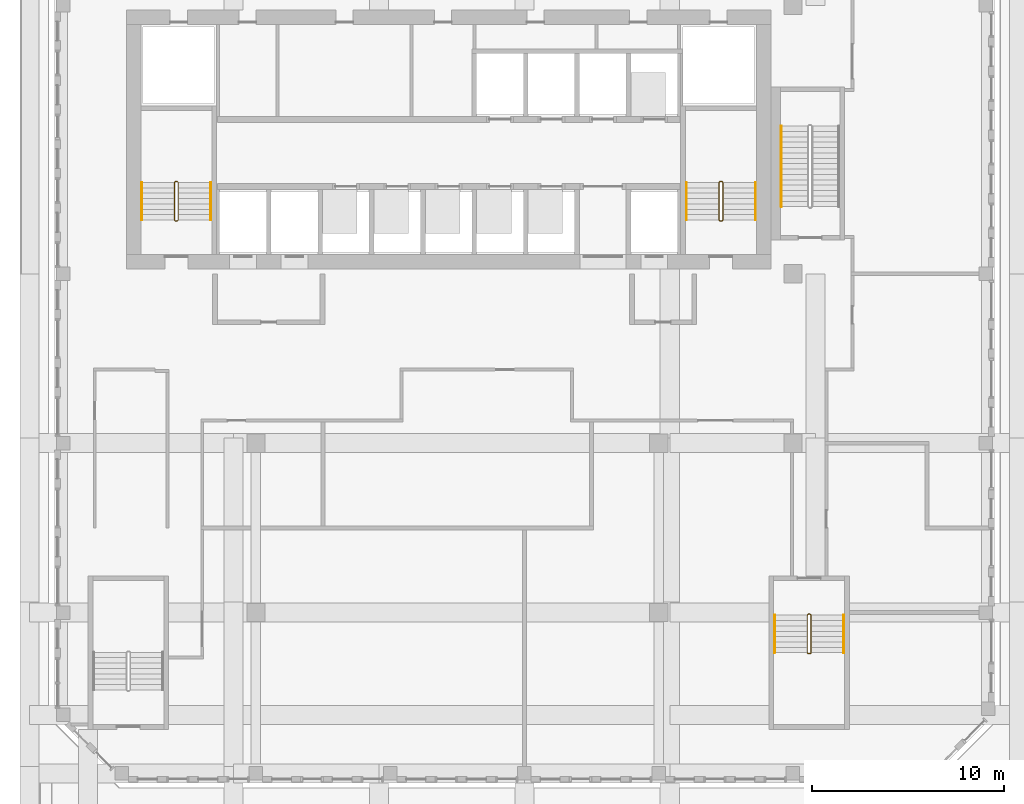
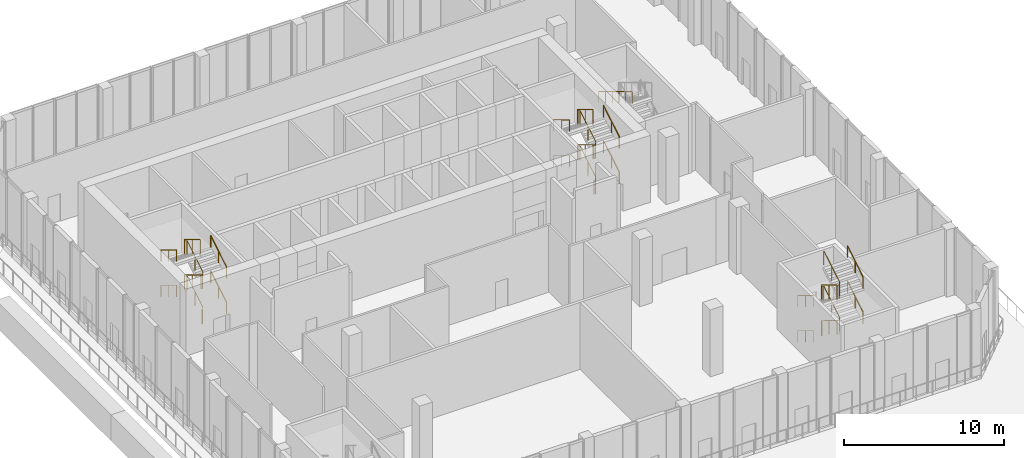
# One storey, part 16 of 18: 16 railings.
"""IFC4 building model written with IfcOpenShell, lengths in metres."""

from ifc_helpers import new_model, si_unit, direction, frame, origin, origin_2d, place, context, subcontext, project, spatial, circle, extrude, material, type_object, element, save


model = new_model("IFC4")

# Units and contexts
model_context = context("Model", 3, precision=1e-05, world=origin(), true_north=direction((0.0, 1.0)))
body_context = subcontext(model_context, "Body", "Model", "MODEL_VIEW")
ifc_project = project(units=[si_unit("LENGTHUNIT", "METRE"), si_unit("AREAUNIT", "SQUARE_METRE"), si_unit("VOLUMEUNIT", "CUBIC_METRE"), si_unit("PLANEANGLEUNIT", "RADIAN"), si_unit("MASSUNIT", "GRAM", prefix="KILO")], contexts=[model_context])

# Site, building, storey
site_placement = place(None, origin())
site = spatial("IfcSite", under=ifc_project, at=site_placement, CompositionType="ELEMENT")
building_placement = place(site_placement, origin())
building = spatial("IfcBuilding", under=site, at=building_placement, Name="Kilnfold Tower and Market Hall", CompositionType="ELEMENT")
storey_placement = place(building_placement, frame((0.0, 0.0, 233.60009765625)))
storey = spatial("IfcBuildingStorey", under=building, at=storey_placement, Name="L56", CompositionType="ELEMENT", Elevation=233.60009765625)

# Railings
ifc_material_1 = material(Name="Stainless steel 316", Category="steel")
railing_type_1 = type_object("IfcRailingType", Name="CORE STAIR GUARD 1100", PredefinedType="GUARDRAIL", material=ifc_material_1)
railing_1_placement = place(storey_placement, frame((-13.199951171875, 10.75, 0.0)))
element("IfcRailing", 1, at=railing_1_placement, inside=storey, type_object=railing_type_1, Name="L56 ST1 stair guard 1", PredefinedType="GUARDRAIL", context=body_context, shape_type="SweptSolid", body=[
    extrude(circle(Radius=0.02392578125, at=origin_2d()), frame((0.0, 0.0, 1.076171875), z_axis=(1.0, 0.0, 0.0), x_axis=(0.0, 1.0, 0.0)), (0.0, 0.0, 1.0), 0.099853515625),
    extrude(circle(Radius=0.02392578125, at=origin_2d()), frame((0.099853515625, 0.0, 1.076171875), z_axis=(0.273569069059, 0.273569069059, 0.922127935218), x_axis=(-0.707106781187, 0.707106781187, 0.0)), (0.0, 0.0, 1.0), 0.182861328125),
    extrude(circle(Radius=0.02392578125, at=origin_2d()), frame((0.14990234375, 0.050048828125, 1.24462890625), z_axis=(0.0, 0.856493463811, 0.516157869696), x_axis=(-1.0, 0.0, 0.0)), (0.0, 0.0, 1.0), 2.288330078125),
    extrude(circle(Radius=0.02392578125, at=origin_2d()), frame((0.14990234375, 2.010009765625, 2.42578125), z_axis=(-0.707106781187, 0.707106781187, 0.0), x_axis=(-0.707106781187, -0.707106781187, 0.0)), (0.0, 0.0, 1.0), 0.07080078125),
    extrude(circle(Radius=0.02392578125, at=origin_2d()), frame((0.099853515625, 2.06005859375, 2.42578125), z_axis=(-1.0, 0.0, 0.0), x_axis=(0.0, -1.0, 0.0)), (0.0, 0.0, 1.0), 0.099853515625),
    extrude(circle(Radius=0.02392578125, at=origin_2d()), frame((0.0, 2.06005859375, 2.42578125), z_axis=(-0.273232802156, -0.273232802156, 0.922327312645), x_axis=(0.707106781187, -0.707106781187, 0.0)), (0.0, 0.0, 1.0), 0.18310546875),
    extrude(circle(Radius=0.02392578125, at=origin_2d()), frame((-0.050048828125, 2.010009765625, 2.5947265625), z_axis=(0.0, -0.856493463811, 0.516157869696), x_axis=(1.0, 0.0, 0.0)), (0.0, 0.0, 1.0), 2.288330078125),
    extrude(circle(Radius=0.02392578125, at=origin_2d()), frame((-0.050048828125, 0.050048828125, 3.77587890625), z_axis=(0.707106781187, -0.707106781187, 0.0), x_axis=(0.707106781187, 0.707106781187, 0.0)), (0.0, 0.0, 1.0), 0.07080078125),
    extrude(circle(Radius=0.02392578125, at=origin_2d()), frame((0.0, 0.0, 3.77587890625), z_axis=(1.0, 0.0, 0.0), x_axis=(0.0, 1.0, 0.0)), (0.0, 0.0, 1.0), 0.099853515625),
    extrude(circle(Radius=0.02392578125, at=origin_2d()), frame((0.099853515625, 0.0, 3.77587890625), z_axis=(0.273569069059, 0.273569069059, 0.922127935218), x_axis=(-0.707106781187, 0.707106781187, 0.0)), (0.0, 0.0, 1.0), 0.182861328125),
    extrude(circle(Radius=0.02392578125, at=origin_2d()), frame((0.14990234375, 0.050048828125, 3.94482421875), z_axis=(0.0, 0.856493463811, 0.516157869696), x_axis=(-1.0, 0.0, 0.0)), (0.0, 0.0, 1.0), 2.288330078125),
    extrude(circle(Radius=0.02392578125, at=origin_2d()), frame((0.14990234375, 2.010009765625, 5.1259765625), z_axis=(-0.707106781187, 0.707106781187, 0.0), x_axis=(-0.707106781187, -0.707106781187, 0.0)), (0.0, 0.0, 1.0), 0.07080078125),
    extrude(circle(Radius=0.02392578125, at=origin_2d()), frame((0.099853515625, 2.06005859375, 5.1259765625), z_axis=(-1.0, 0.0, 0.0), x_axis=(0.0, -1.0, 0.0)), (0.0, 0.0, 1.0), 0.099853515625),
    extrude(circle(Radius=0.02392578125, at=origin_2d()), frame((0.0, 2.06005859375, 5.1259765625), z_axis=(-0.273569069059, -0.273569069059, 0.922127935218), x_axis=(0.707106781187, -0.707106781187, 0.0)), (0.0, 0.0, 1.0), 0.182861328125),
    extrude(circle(Radius=0.02392578125, at=origin_2d()), frame((-0.050048828125, 2.010009765625, 5.29443359375), z_axis=(0.0, -0.856446297458, 0.516236127728), x_axis=(1.0, 0.0, 0.0)), (0.0, 0.0, 1.0), 2.28857421875),
    extrude(circle(Radius=0.02099609375, at=origin_2d()), origin(), (0.0, 0.0, 1.0), 1.052001953125),
    extrude(circle(Radius=0.02099609375, at=origin_2d()), frame((0.099853515625, 0.0, 0.0)), (0.0, 0.0, 1.0), 1.052001953125),
    extrude(circle(Radius=0.02099609375, at=origin_2d()), frame((0.14990234375, 0.050048828125, 0.168701171875)), (0.0, 0.0, 1.0), 1.052001953125),
    extrude(circle(Radius=0.02099609375, at=origin_2d()), frame((0.14990234375, 1.030029296875, 0.75927734375)), (0.0, 0.0, 1.0), 1.052001953125),
    extrude(circle(Radius=0.02099609375, at=origin_2d()), frame((0.14990234375, 2.010009765625, 1.349853515625)), (0.0, 0.0, 1.0), 1.052001953125),
    extrude(circle(Radius=0.02099609375, at=origin_2d()), frame((0.099853515625, 2.06005859375, 1.349853515625)), (0.0, 0.0, 1.0), 1.052001953125),
    extrude(circle(Radius=0.02099609375, at=origin_2d()), frame((0.0, 2.06005859375, 1.349853515625)), (0.0, 0.0, 1.0), 1.052001953125),
    extrude(circle(Radius=0.02099609375, at=origin_2d()), frame((-0.050048828125, 2.010009765625, 1.518798828125)), (0.0, 0.0, 1.0), 1.052001953125),
    extrude(circle(Radius=0.02099609375, at=origin_2d()), frame((-0.050048828125, 1.030029296875, 2.109375)), (0.0, 0.0, 1.0), 1.052001953125),
    extrude(circle(Radius=0.02099609375, at=origin_2d()), frame((-0.050048828125, 0.050048828125, 2.699951171875)), (0.0, 0.0, 1.0), 1.052001953125),
    extrude(circle(Radius=0.02099609375, at=origin_2d()), frame((0.0, 0.0, 2.699951171875)), (0.0, 0.0, 1.0), 1.052001953125),
    extrude(circle(Radius=0.02099609375, at=origin_2d()), frame((0.099853515625, 0.0, 2.699951171875)), (0.0, 0.0, 1.0), 1.052001953125),
    extrude(circle(Radius=0.02099609375, at=origin_2d()), frame((0.14990234375, 0.050048828125, 2.86865234375)), (0.0, 0.0, 1.0), 1.052001953125),
    extrude(circle(Radius=0.02099609375, at=origin_2d()), frame((0.14990234375, 1.030029296875, 3.459228515625)), (0.0, 0.0, 1.0), 1.052001953125),
    extrude(circle(Radius=0.02099609375, at=origin_2d()), frame((0.14990234375, 2.010009765625, 4.0498046875)), (0.0, 0.0, 1.0), 1.052001953125),
    extrude(circle(Radius=0.02099609375, at=origin_2d()), frame((0.099853515625, 2.06005859375, 4.0498046875)), (0.0, 0.0, 1.0), 1.052001953125),
    extrude(circle(Radius=0.02099609375, at=origin_2d()), frame((0.0, 2.06005859375, 4.0498046875)), (0.0, 0.0, 1.0), 1.052001953125),
    extrude(circle(Radius=0.02099609375, at=origin_2d()), frame((-0.050048828125, 2.010009765625, 4.218505859375)), (0.0, 0.0, 1.0), 1.052001953125),
    extrude(circle(Radius=0.02099609375, at=origin_2d()), frame((-0.050048828125, 1.030029296875, 4.80908203125)), (0.0, 0.0, 1.0), 1.052001953125),
    extrude(circle(Radius=0.02099609375, at=origin_2d()), frame((-0.050048828125, 0.050048828125, 5.39990234375)), (0.0, 0.0, 1.0), 1.052001953125),
])
railing_2_placement = place(storey_placement, frame((15.199951171875, 10.75, 0.0)))
element("IfcRailing", 2, at=railing_2_placement, inside=storey, type_object=railing_type_1, Name="L56 ST2 stair guard 1", PredefinedType="GUARDRAIL", context=body_context, shape_type="SweptSolid", body=[
    extrude(circle(Radius=0.02392578125, at=origin_2d()), frame((0.0, 0.0, 1.076171875), z_axis=(1.0, 0.0, 0.0), x_axis=(0.0, 1.0, 0.0)), (0.0, 0.0, 1.0), 0.10009765625),
    extrude(circle(Radius=0.02392578125, at=origin_2d()), frame((0.10009765625, 0.0, 1.076171875), z_axis=(0.273569069059, 0.273569069059, 0.922127935218), x_axis=(-0.707106781187, 0.707106781187, 0.0)), (0.0, 0.0, 1.0), 0.182861328125),
    extrude(circle(Radius=0.02392578125, at=origin_2d()), frame((0.150146484375, 0.050048828125, 1.24462890625), z_axis=(0.0, 0.856493463811, 0.516157869696), x_axis=(-1.0, 0.0, 0.0)), (0.0, 0.0, 1.0), 2.288330078125),
    extrude(circle(Radius=0.02392578125, at=origin_2d()), frame((0.150146484375, 2.010009765625, 2.42578125), z_axis=(-0.707106781187, 0.707106781187, 0.0), x_axis=(-0.707106781187, -0.707106781187, 0.0)), (0.0, 0.0, 1.0), 0.07080078125),
    extrude(circle(Radius=0.02392578125, at=origin_2d()), frame((0.10009765625, 2.06005859375, 2.42578125), z_axis=(-1.0, 0.0, 0.0), x_axis=(0.0, -1.0, 0.0)), (0.0, 0.0, 1.0), 0.10009765625),
    extrude(circle(Radius=0.02392578125, at=origin_2d()), frame((0.0, 2.06005859375, 2.42578125), z_axis=(-0.273232802156, -0.273232802156, 0.922327312645), x_axis=(0.707106781187, -0.707106781187, 0.0)), (0.0, 0.0, 1.0), 0.18310546875),
    extrude(circle(Radius=0.02392578125, at=origin_2d()), frame((-0.050048828125, 2.010009765625, 2.5947265625), z_axis=(0.0, -0.856493463811, 0.516157869696), x_axis=(1.0, 0.0, 0.0)), (0.0, 0.0, 1.0), 2.288330078125),
    extrude(circle(Radius=0.02392578125, at=origin_2d()), frame((-0.050048828125, 0.050048828125, 3.77587890625), z_axis=(0.707106781187, -0.707106781187, 0.0), x_axis=(0.707106781187, 0.707106781187, 0.0)), (0.0, 0.0, 1.0), 0.07080078125),
    extrude(circle(Radius=0.02392578125, at=origin_2d()), frame((0.0, 0.0, 3.77587890625), z_axis=(1.0, 0.0, 0.0), x_axis=(0.0, 1.0, 0.0)), (0.0, 0.0, 1.0), 0.10009765625),
    extrude(circle(Radius=0.02392578125, at=origin_2d()), frame((0.10009765625, 0.0, 3.77587890625), z_axis=(0.273569069059, 0.273569069059, 0.922127935218), x_axis=(-0.707106781187, 0.707106781187, 0.0)), (0.0, 0.0, 1.0), 0.182861328125),
    extrude(circle(Radius=0.02392578125, at=origin_2d()), frame((0.150146484375, 0.050048828125, 3.94482421875), z_axis=(0.0, 0.856493463811, 0.516157869696), x_axis=(-1.0, 0.0, 0.0)), (0.0, 0.0, 1.0), 2.288330078125),
    extrude(circle(Radius=0.02392578125, at=origin_2d()), frame((0.150146484375, 2.010009765625, 5.1259765625), z_axis=(-0.707106781187, 0.707106781187, 0.0), x_axis=(-0.707106781187, -0.707106781187, 0.0)), (0.0, 0.0, 1.0), 0.07080078125),
    extrude(circle(Radius=0.02392578125, at=origin_2d()), frame((0.10009765625, 2.06005859375, 5.1259765625), z_axis=(-1.0, 0.0, 0.0), x_axis=(0.0, -1.0, 0.0)), (0.0, 0.0, 1.0), 0.10009765625),
    extrude(circle(Radius=0.02392578125, at=origin_2d()), frame((0.0, 2.06005859375, 5.1259765625), z_axis=(-0.273569069059, -0.273569069059, 0.922127935218), x_axis=(0.707106781187, -0.707106781187, 0.0)), (0.0, 0.0, 1.0), 0.182861328125),
    extrude(circle(Radius=0.02392578125, at=origin_2d()), frame((-0.050048828125, 2.010009765625, 5.29443359375), z_axis=(0.0, -0.856446297458, 0.516236127728), x_axis=(1.0, 0.0, 0.0)), (0.0, 0.0, 1.0), 2.28857421875),
    extrude(circle(Radius=0.02099609375, at=origin_2d()), origin(), (0.0, 0.0, 1.0), 1.052001953125),
    extrude(circle(Radius=0.02099609375, at=origin_2d()), frame((0.10009765625, 0.0, 0.0)), (0.0, 0.0, 1.0), 1.052001953125),
    extrude(circle(Radius=0.02099609375, at=origin_2d()), frame((0.150146484375, 0.050048828125, 0.168701171875)), (0.0, 0.0, 1.0), 1.052001953125),
    extrude(circle(Radius=0.02099609375, at=origin_2d()), frame((0.150146484375, 1.030029296875, 0.75927734375)), (0.0, 0.0, 1.0), 1.052001953125),
    extrude(circle(Radius=0.02099609375, at=origin_2d()), frame((0.150146484375, 2.010009765625, 1.349853515625)), (0.0, 0.0, 1.0), 1.052001953125),
    extrude(circle(Radius=0.02099609375, at=origin_2d()), frame((0.10009765625, 2.06005859375, 1.349853515625)), (0.0, 0.0, 1.0), 1.052001953125),
    extrude(circle(Radius=0.02099609375, at=origin_2d()), frame((0.0, 2.06005859375, 1.349853515625)), (0.0, 0.0, 1.0), 1.052001953125),
    extrude(circle(Radius=0.02099609375, at=origin_2d()), frame((-0.050048828125, 2.010009765625, 1.518798828125)), (0.0, 0.0, 1.0), 1.052001953125),
    extrude(circle(Radius=0.02099609375, at=origin_2d()), frame((-0.050048828125, 1.030029296875, 2.109375)), (0.0, 0.0, 1.0), 1.052001953125),
    extrude(circle(Radius=0.02099609375, at=origin_2d()), frame((-0.050048828125, 0.050048828125, 2.699951171875)), (0.0, 0.0, 1.0), 1.052001953125),
    extrude(circle(Radius=0.02099609375, at=origin_2d()), frame((0.0, 0.0, 2.699951171875)), (0.0, 0.0, 1.0), 1.052001953125),
    extrude(circle(Radius=0.02099609375, at=origin_2d()), frame((0.10009765625, 0.0, 2.699951171875)), (0.0, 0.0, 1.0), 1.052001953125),
    extrude(circle(Radius=0.02099609375, at=origin_2d()), frame((0.150146484375, 0.050048828125, 2.86865234375)), (0.0, 0.0, 1.0), 1.052001953125),
    extrude(circle(Radius=0.02099609375, at=origin_2d()), frame((0.150146484375, 1.030029296875, 3.459228515625)), (0.0, 0.0, 1.0), 1.052001953125),
    extrude(circle(Radius=0.02099609375, at=origin_2d()), frame((0.150146484375, 2.010009765625, 4.0498046875)), (0.0, 0.0, 1.0), 1.052001953125),
    extrude(circle(Radius=0.02099609375, at=origin_2d()), frame((0.10009765625, 2.06005859375, 4.0498046875)), (0.0, 0.0, 1.0), 1.052001953125),
    extrude(circle(Radius=0.02099609375, at=origin_2d()), frame((0.0, 2.06005859375, 4.0498046875)), (0.0, 0.0, 1.0), 1.052001953125),
    extrude(circle(Radius=0.02099609375, at=origin_2d()), frame((-0.050048828125, 2.010009765625, 4.218505859375)), (0.0, 0.0, 1.0), 1.052001953125),
    extrude(circle(Radius=0.02099609375, at=origin_2d()), frame((-0.050048828125, 1.030029296875, 4.80908203125)), (0.0, 0.0, 1.0), 1.052001953125),
    extrude(circle(Radius=0.02099609375, at=origin_2d()), frame((-0.050048828125, 0.050048828125, 5.39990234375)), (0.0, 0.0, 1.0), 1.052001953125),
])
railing_3_placement = place(storey_placement, frame((19.89990234375, -9.75, 0.0)))
element("IfcRailing", 3, at=railing_3_placement, inside=storey, type_object=railing_type_1, Name="L56 ST4 stair guard 1", PredefinedType="GUARDRAIL", context=body_context, shape_type="SweptSolid", body=[
    extrude(circle(Radius=0.02392578125, at=origin_2d()), frame((0.0, 0.0, 1.076171875), z_axis=(-1.0, 0.0, 0.0), x_axis=(0.0, -1.0, 0.0)), (0.0, 0.0, 1.0), 0.099853515625),
    extrude(circle(Radius=0.02392578125, at=origin_2d()), frame((-0.099853515625, 0.0, 1.076171875), z_axis=(-0.273569069059, -0.273569069059, 0.922127935218), x_axis=(0.707106781187, -0.707106781187, 0.0)), (0.0, 0.0, 1.0), 0.182861328125),
    extrude(circle(Radius=0.02392578125, at=origin_2d()), frame((-0.14990234375, -0.050048828125, 1.24462890625), z_axis=(0.0, -0.856493463811, 0.516157869696), x_axis=(1.0, 0.0, 0.0)), (0.0, 0.0, 1.0), 2.288330078125),
    extrude(circle(Radius=0.02392578125, at=origin_2d()), frame((-0.14990234375, -2.010009765625, 2.42578125), z_axis=(0.707106781187, -0.707106781187, 0.0), x_axis=(0.707106781187, 0.707106781187, 0.0)), (0.0, 0.0, 1.0), 0.07080078125),
    extrude(circle(Radius=0.02392578125, at=origin_2d()), frame((-0.099853515625, -2.06005859375, 2.42578125), z_axis=(1.0, 0.0, 0.0), x_axis=(0.0, 1.0, 0.0)), (0.0, 0.0, 1.0), 0.099853515625),
    extrude(circle(Radius=0.02392578125, at=origin_2d()), frame((0.0, -2.06005859375, 2.42578125), z_axis=(0.273232802156, 0.273232802156, 0.922327312645), x_axis=(-0.707106781187, 0.707106781187, 0.0)), (0.0, 0.0, 1.0), 0.18310546875),
    extrude(circle(Radius=0.02392578125, at=origin_2d()), frame((0.050048828125, -2.010009765625, 2.5947265625), z_axis=(0.0, 0.856493463811, 0.516157869696), x_axis=(-1.0, 0.0, 0.0)), (0.0, 0.0, 1.0), 2.288330078125),
    extrude(circle(Radius=0.02392578125, at=origin_2d()), frame((0.050048828125, -0.050048828125, 3.77587890625), z_axis=(-0.707106781187, 0.707106781187, 0.0), x_axis=(-0.707106781187, -0.707106781187, 0.0)), (0.0, 0.0, 1.0), 0.07080078125),
    extrude(circle(Radius=0.02392578125, at=origin_2d()), frame((0.0, 0.0, 3.77587890625), z_axis=(-1.0, 0.0, 0.0), x_axis=(0.0, -1.0, 0.0)), (0.0, 0.0, 1.0), 0.099853515625),
    extrude(circle(Radius=0.02392578125, at=origin_2d()), frame((-0.099853515625, 0.0, 3.77587890625), z_axis=(-0.273569069059, -0.273569069059, 0.922127935218), x_axis=(0.707106781187, -0.707106781187, 0.0)), (0.0, 0.0, 1.0), 0.182861328125),
    extrude(circle(Radius=0.02392578125, at=origin_2d()), frame((-0.14990234375, -0.050048828125, 3.94482421875), z_axis=(0.0, -0.856493463811, 0.516157869696), x_axis=(1.0, 0.0, 0.0)), (0.0, 0.0, 1.0), 2.288330078125),
    extrude(circle(Radius=0.02392578125, at=origin_2d()), frame((-0.14990234375, -2.010009765625, 5.1259765625), z_axis=(0.707106781187, -0.707106781187, 0.0), x_axis=(0.707106781187, 0.707106781187, 0.0)), (0.0, 0.0, 1.0), 0.07080078125),
    extrude(circle(Radius=0.02392578125, at=origin_2d()), frame((-0.099853515625, -2.06005859375, 5.1259765625), z_axis=(1.0, 0.0, 0.0), x_axis=(0.0, 1.0, 0.0)), (0.0, 0.0, 1.0), 0.099853515625),
    extrude(circle(Radius=0.02392578125, at=origin_2d()), frame((0.0, -2.06005859375, 5.1259765625), z_axis=(0.273569069059, 0.273569069059, 0.922127935218), x_axis=(-0.707106781187, 0.707106781187, 0.0)), (0.0, 0.0, 1.0), 0.182861328125),
    extrude(circle(Radius=0.02392578125, at=origin_2d()), frame((0.050048828125, -2.010009765625, 5.29443359375), z_axis=(0.0, 0.856446297458, 0.516236127728), x_axis=(-1.0, 0.0, 0.0)), (0.0, 0.0, 1.0), 2.28857421875),
    extrude(circle(Radius=0.02099609375, at=origin_2d()), origin(), (0.0, 0.0, 1.0), 1.052001953125),
    extrude(circle(Radius=0.02099609375, at=origin_2d()), frame((-0.099853515625, 0.0, 0.0)), (0.0, 0.0, 1.0), 1.052001953125),
    extrude(circle(Radius=0.02099609375, at=origin_2d()), frame((-0.14990234375, -0.050048828125, 0.168701171875)), (0.0, 0.0, 1.0), 1.052001953125),
    extrude(circle(Radius=0.02099609375, at=origin_2d()), frame((-0.14990234375, -1.030029296875, 0.75927734375)), (0.0, 0.0, 1.0), 1.052001953125),
    extrude(circle(Radius=0.02099609375, at=origin_2d()), frame((-0.14990234375, -2.010009765625, 1.349853515625)), (0.0, 0.0, 1.0), 1.052001953125),
    extrude(circle(Radius=0.02099609375, at=origin_2d()), frame((-0.099853515625, -2.06005859375, 1.349853515625)), (0.0, 0.0, 1.0), 1.052001953125),
    extrude(circle(Radius=0.02099609375, at=origin_2d()), frame((0.0, -2.06005859375, 1.349853515625)), (0.0, 0.0, 1.0), 1.052001953125),
    extrude(circle(Radius=0.02099609375, at=origin_2d()), frame((0.050048828125, -2.010009765625, 1.518798828125)), (0.0, 0.0, 1.0), 1.052001953125),
    extrude(circle(Radius=0.02099609375, at=origin_2d()), frame((0.050048828125, -1.030029296875, 2.109375)), (0.0, 0.0, 1.0), 1.052001953125),
    extrude(circle(Radius=0.02099609375, at=origin_2d()), frame((0.050048828125, -0.050048828125, 2.699951171875)), (0.0, 0.0, 1.0), 1.052001953125),
    extrude(circle(Radius=0.02099609375, at=origin_2d()), frame((0.0, 0.0, 2.699951171875)), (0.0, 0.0, 1.0), 1.052001953125),
    extrude(circle(Radius=0.02099609375, at=origin_2d()), frame((-0.099853515625, 0.0, 2.699951171875)), (0.0, 0.0, 1.0), 1.052001953125),
    extrude(circle(Radius=0.02099609375, at=origin_2d()), frame((-0.14990234375, -0.050048828125, 2.86865234375)), (0.0, 0.0, 1.0), 1.052001953125),
    extrude(circle(Radius=0.02099609375, at=origin_2d()), frame((-0.14990234375, -1.030029296875, 3.459228515625)), (0.0, 0.0, 1.0), 1.052001953125),
    extrude(circle(Radius=0.02099609375, at=origin_2d()), frame((-0.14990234375, -2.010009765625, 4.0498046875)), (0.0, 0.0, 1.0), 1.052001953125),
    extrude(circle(Radius=0.02099609375, at=origin_2d()), frame((-0.099853515625, -2.06005859375, 4.0498046875)), (0.0, 0.0, 1.0), 1.052001953125),
    extrude(circle(Radius=0.02099609375, at=origin_2d()), frame((0.0, -2.06005859375, 4.0498046875)), (0.0, 0.0, 1.0), 1.052001953125),
    extrude(circle(Radius=0.02099609375, at=origin_2d()), frame((0.050048828125, -2.010009765625, 4.218505859375)), (0.0, 0.0, 1.0), 1.052001953125),
    extrude(circle(Radius=0.02099609375, at=origin_2d()), frame((0.050048828125, -1.030029296875, 4.80908203125)), (0.0, 0.0, 1.0), 1.052001953125),
    extrude(circle(Radius=0.02099609375, at=origin_2d()), frame((0.050048828125, -0.050048828125, 5.39990234375)), (0.0, 0.0, 1.0), 1.052001953125),
])
ifc_material_2 = material(Name="Stainless steel 316", Category="steel")
railing_type_2 = type_object("IfcRailingType", Name="CORE STAIR HANDRAIL 900", PredefinedType="HANDRAIL", material=ifc_material_2)
railing_4_placement = place(storey_placement, frame((-11.35009765625, 10.800048828125, 0.168701171875)))
element("IfcRailing", 4, at=railing_4_placement, inside=storey, type_object=railing_type_2, Name="L56 ST1 stair handrail 1", PredefinedType="HANDRAIL", context=body_context, shape_type="SweptSolid", body=[
    extrude(circle(Radius=0.02392578125, at=origin_2d()), frame((0.0, 0.0, 0.8759765625), z_axis=(0.0, 0.856493463811, 0.516157869696), x_axis=(-1.0, 0.0, 0.0)), (0.0, 0.0, 1.0), 2.288330078125),
    extrude(circle(Radius=0.02099609375, at=origin_2d()), origin(), (0.0, 0.0, 1.0), 0.851806640625),
    extrude(circle(Radius=0.02099609375, at=origin_2d()), frame((0.0, 0.97998046875, 0.590576171875)), (0.0, 0.0, 1.0), 0.851806640625),
    extrude(circle(Radius=0.02099609375, at=origin_2d()), frame((0.0, 1.9599609375, 1.18115234375)), (0.0, 0.0, 1.0), 0.851806640625),
])
railing_5_placement = place(storey_placement, frame((-14.949951171875, 12.760009765625, 1.518798828125)))
element("IfcRailing", 5, at=railing_5_placement, inside=storey, type_object=railing_type_2, Name="L56 ST1 stair handrail 2", PredefinedType="HANDRAIL", context=body_context, shape_type="SweptSolid", body=[
    extrude(circle(Radius=0.02392578125, at=origin_2d()), frame((0.0, 0.0, 0.8759765625), z_axis=(0.0, -0.856493463811, 0.516157869696), x_axis=(1.0, 0.0, 0.0)), (0.0, 0.0, 1.0), 2.288330078125),
    extrude(circle(Radius=0.02099609375, at=origin_2d()), origin(), (0.0, 0.0, 1.0), 0.851806640625),
    extrude(circle(Radius=0.02099609375, at=origin_2d()), frame((0.0, -0.97998046875, 0.590576171875)), (0.0, 0.0, 1.0), 0.851806640625),
    extrude(circle(Radius=0.02099609375, at=origin_2d()), frame((0.0, -1.9599609375, 1.18115234375)), (0.0, 0.0, 1.0), 0.851806640625),
])
railing_6_placement = place(storey_placement, frame((-11.35009765625, 10.800048828125, 2.86865234375)))
element("IfcRailing", 6, at=railing_6_placement, inside=storey, type_object=railing_type_2, Name="L56 ST1 stair handrail 3", PredefinedType="HANDRAIL", context=body_context, shape_type="SweptSolid", body=[
    extrude(circle(Radius=0.02392578125, at=origin_2d()), frame((0.0, 0.0, 0.8759765625), z_axis=(0.0, 0.856493463811, 0.516157869696), x_axis=(-1.0, 0.0, 0.0)), (0.0, 0.0, 1.0), 2.288330078125),
    extrude(circle(Radius=0.02099609375, at=origin_2d()), origin(), (0.0, 0.0, 1.0), 0.851806640625),
    extrude(circle(Radius=0.02099609375, at=origin_2d()), frame((0.0, 0.97998046875, 0.590576171875)), (0.0, 0.0, 1.0), 0.851806640625),
    extrude(circle(Radius=0.02099609375, at=origin_2d()), frame((0.0, 1.9599609375, 1.18115234375)), (0.0, 0.0, 1.0), 0.851806640625),
])
railing_7_placement = place(storey_placement, frame((-14.949951171875, 12.760009765625, 4.218505859375)))
element("IfcRailing", 7, at=railing_7_placement, inside=storey, type_object=railing_type_2, Name="L56 ST1 stair handrail 4", PredefinedType="HANDRAIL", context=body_context, shape_type="SweptSolid", body=[
    extrude(circle(Radius=0.02392578125, at=origin_2d()), frame((0.0, 0.0, 0.8759765625), z_axis=(0.0, -0.856446297458, 0.516236127728), x_axis=(1.0, 0.0, 0.0)), (0.0, 0.0, 1.0), 2.28857421875),
    extrude(circle(Radius=0.02099609375, at=origin_2d()), origin(), (0.0, 0.0, 1.0), 0.851806640625),
    extrude(circle(Radius=0.02099609375, at=origin_2d()), frame((0.0, -0.97998046875, 0.5908203125)), (0.0, 0.0, 1.0), 0.851806640625),
    extrude(circle(Radius=0.02099609375, at=origin_2d()), frame((0.0, -1.9599609375, 1.181396484375)), (0.0, 0.0, 1.0), 0.851806640625),
])
railing_8_placement = place(storey_placement, frame((17.050048828125, 10.800048828125, 0.168701171875)))
element("IfcRailing", 8, at=railing_8_placement, inside=storey, type_object=railing_type_2, Name="L56 ST2 stair handrail 1", PredefinedType="HANDRAIL", context=body_context, shape_type="SweptSolid", body=[
    extrude(circle(Radius=0.02392578125, at=origin_2d()), frame((0.0, 0.0, 0.8759765625), z_axis=(0.0, 0.856493463811, 0.516157869696), x_axis=(-1.0, 0.0, 0.0)), (0.0, 0.0, 1.0), 2.288330078125),
    extrude(circle(Radius=0.02099609375, at=origin_2d()), origin(), (0.0, 0.0, 1.0), 0.851806640625),
    extrude(circle(Radius=0.02099609375, at=origin_2d()), frame((0.0, 0.97998046875, 0.590576171875)), (0.0, 0.0, 1.0), 0.851806640625),
    extrude(circle(Radius=0.02099609375, at=origin_2d()), frame((0.0, 1.9599609375, 1.18115234375)), (0.0, 0.0, 1.0), 0.851806640625),
])
railing_9_placement = place(storey_placement, frame((13.449951171875, 12.760009765625, 1.518798828125)))
element("IfcRailing", 9, at=railing_9_placement, inside=storey, type_object=railing_type_2, Name="L56 ST2 stair handrail 2", PredefinedType="HANDRAIL", context=body_context, shape_type="SweptSolid", body=[
    extrude(circle(Radius=0.02392578125, at=origin_2d()), frame((0.0, 0.0, 0.8759765625), z_axis=(0.0, -0.856493463811, 0.516157869696), x_axis=(1.0, 0.0, 0.0)), (0.0, 0.0, 1.0), 2.288330078125),
    extrude(circle(Radius=0.02099609375, at=origin_2d()), origin(), (0.0, 0.0, 1.0), 0.851806640625),
    extrude(circle(Radius=0.02099609375, at=origin_2d()), frame((0.0, -0.97998046875, 0.590576171875)), (0.0, 0.0, 1.0), 0.851806640625),
    extrude(circle(Radius=0.02099609375, at=origin_2d()), frame((0.0, -1.9599609375, 1.18115234375)), (0.0, 0.0, 1.0), 0.851806640625),
])
railing_10_placement = place(storey_placement, frame((17.050048828125, 10.800048828125, 2.86865234375)))
element("IfcRailing", 10, at=railing_10_placement, inside=storey, type_object=railing_type_2, Name="L56 ST2 stair handrail 3", PredefinedType="HANDRAIL", context=body_context, shape_type="SweptSolid", body=[
    extrude(circle(Radius=0.02392578125, at=origin_2d()), frame((0.0, 0.0, 0.8759765625), z_axis=(0.0, 0.856493463811, 0.516157869696), x_axis=(-1.0, 0.0, 0.0)), (0.0, 0.0, 1.0), 2.288330078125),
    extrude(circle(Radius=0.02099609375, at=origin_2d()), origin(), (0.0, 0.0, 1.0), 0.851806640625),
    extrude(circle(Radius=0.02099609375, at=origin_2d()), frame((0.0, 0.97998046875, 0.590576171875)), (0.0, 0.0, 1.0), 0.851806640625),
    extrude(circle(Radius=0.02099609375, at=origin_2d()), frame((0.0, 1.9599609375, 1.18115234375)), (0.0, 0.0, 1.0), 0.851806640625),
])
railing_11_placement = place(storey_placement, frame((13.449951171875, 12.760009765625, 4.218505859375)))
element("IfcRailing", 11, at=railing_11_placement, inside=storey, type_object=railing_type_2, Name="L56 ST2 stair handrail 4", PredefinedType="HANDRAIL", context=body_context, shape_type="SweptSolid", body=[
    extrude(circle(Radius=0.02392578125, at=origin_2d()), frame((0.0, 0.0, 0.8759765625), z_axis=(0.0, -0.856446297458, 0.516236127728), x_axis=(1.0, 0.0, 0.0)), (0.0, 0.0, 1.0), 2.28857421875),
    extrude(circle(Radius=0.02099609375, at=origin_2d()), origin(), (0.0, 0.0, 1.0), 0.851806640625),
    extrude(circle(Radius=0.02099609375, at=origin_2d()), frame((0.0, -0.97998046875, 0.5908203125)), (0.0, 0.0, 1.0), 0.851806640625),
    extrude(circle(Radius=0.02099609375, at=origin_2d()), frame((0.0, -1.9599609375, 1.181396484375)), (0.0, 0.0, 1.0), 0.851806640625),
])
railing_12_placement = place(storey_placement, frame((18.050048828125, -9.800048828125, 0.168701171875)))
element("IfcRailing", 12, at=railing_12_placement, inside=storey, type_object=railing_type_2, Name="L56 ST4 stair handrail 1", PredefinedType="HANDRAIL", context=body_context, shape_type="SweptSolid", body=[
    extrude(circle(Radius=0.02392578125, at=origin_2d()), frame((0.0, 0.0, 0.8759765625), z_axis=(0.0, -0.856493463811, 0.516157869696), x_axis=(1.0, 0.0, 0.0)), (0.0, 0.0, 1.0), 2.288330078125),
    extrude(circle(Radius=0.02099609375, at=origin_2d()), origin(), (0.0, 0.0, 1.0), 0.851806640625),
    extrude(circle(Radius=0.02099609375, at=origin_2d()), frame((0.0, -0.97998046875, 0.590576171875)), (0.0, 0.0, 1.0), 0.851806640625),
    extrude(circle(Radius=0.02099609375, at=origin_2d()), frame((0.0, -1.9599609375, 1.18115234375)), (0.0, 0.0, 1.0), 0.851806640625),
])
railing_13_placement = place(storey_placement, frame((21.64990234375, -11.760009765625, 1.518798828125)))
element("IfcRailing", 13, at=railing_13_placement, inside=storey, type_object=railing_type_2, Name="L56 ST4 stair handrail 2", PredefinedType="HANDRAIL", context=body_context, shape_type="SweptSolid", body=[
    extrude(circle(Radius=0.02392578125, at=origin_2d()), frame((0.0, 0.0, 0.8759765625), z_axis=(0.0, 0.856493463811, 0.516157869696), x_axis=(-1.0, 0.0, 0.0)), (0.0, 0.0, 1.0), 2.288330078125),
    extrude(circle(Radius=0.02099609375, at=origin_2d()), origin(), (0.0, 0.0, 1.0), 0.851806640625),
    extrude(circle(Radius=0.02099609375, at=origin_2d()), frame((0.0, 0.97998046875, 0.590576171875)), (0.0, 0.0, 1.0), 0.851806640625),
    extrude(circle(Radius=0.02099609375, at=origin_2d()), frame((0.0, 1.9599609375, 1.18115234375)), (0.0, 0.0, 1.0), 0.851806640625),
])
railing_14_placement = place(storey_placement, frame((18.050048828125, -9.800048828125, 2.86865234375)))
element("IfcRailing", 14, at=railing_14_placement, inside=storey, type_object=railing_type_2, Name="L56 ST4 stair handrail 3", PredefinedType="HANDRAIL", context=body_context, shape_type="SweptSolid", body=[
    extrude(circle(Radius=0.02392578125, at=origin_2d()), frame((0.0, 0.0, 0.8759765625), z_axis=(0.0, -0.856493463811, 0.516157869696), x_axis=(1.0, 0.0, 0.0)), (0.0, 0.0, 1.0), 2.288330078125),
    extrude(circle(Radius=0.02099609375, at=origin_2d()), origin(), (0.0, 0.0, 1.0), 0.851806640625),
    extrude(circle(Radius=0.02099609375, at=origin_2d()), frame((0.0, -0.97998046875, 0.590576171875)), (0.0, 0.0, 1.0), 0.851806640625),
    extrude(circle(Radius=0.02099609375, at=origin_2d()), frame((0.0, -1.9599609375, 1.18115234375)), (0.0, 0.0, 1.0), 0.851806640625),
])
railing_15_placement = place(storey_placement, frame((21.64990234375, -11.760009765625, 4.218505859375)))
element("IfcRailing", 15, at=railing_15_placement, inside=storey, type_object=railing_type_2, Name="L56 ST4 stair handrail 4", PredefinedType="HANDRAIL", context=body_context, shape_type="SweptSolid", body=[
    extrude(circle(Radius=0.02392578125, at=origin_2d()), frame((0.0, 0.0, 0.8759765625), z_axis=(0.0, 0.856446297458, 0.516236127728), x_axis=(-1.0, 0.0, 0.0)), (0.0, 0.0, 1.0), 2.28857421875),
    extrude(circle(Radius=0.02099609375, at=origin_2d()), origin(), (0.0, 0.0, 1.0), 0.851806640625),
    extrude(circle(Radius=0.02099609375, at=origin_2d()), frame((0.0, 0.97998046875, 0.5908203125)), (0.0, 0.0, 1.0), 0.851806640625),
    extrude(circle(Radius=0.02099609375, at=origin_2d()), frame((0.0, 1.9599609375, 1.181396484375)), (0.0, 0.0, 1.0), 0.851806640625),
])
railing_16_placement = place(storey_placement, frame((18.39990234375, 15.699951171875, 2.86865234375)))
element("IfcRailing", 16, at=railing_16_placement, inside=storey, type_object=railing_type_2, Name="L56 ST5 stair handrail 2", PredefinedType="HANDRAIL", context=body_context, shape_type="SweptSolid", body=[
    extrude(circle(Radius=0.02392578125, at=origin_2d()), frame((0.0, 0.0, 0.8759765625), z_axis=(0.0, -0.856476492594, 0.516186030065), x_axis=(1.0, 0.0, 0.0)), (0.0, 0.0, 1.0), 4.90380859375),
    extrude(circle(Radius=0.02099609375, at=origin_2d()), origin(), (0.0, 0.0, 1.0), 0.851806640625),
    extrude(circle(Radius=0.02099609375, at=origin_2d()), frame((0.0, -0.840087890625, 0.50634765625)), (0.0, 0.0, 1.0), 0.851806640625),
    extrude(circle(Radius=0.02099609375, at=origin_2d()), frame((0.0, -1.679931640625, 1.012451171875)), (0.0, 0.0, 1.0), 0.851806640625),
    extrude(circle(Radius=0.02099609375, at=origin_2d()), frame((0.0, -2.52001953125, 1.518798828125)), (0.0, 0.0, 1.0), 0.851806640625),
    extrude(circle(Radius=0.02099609375, at=origin_2d()), frame((0.0, -3.35986328125, 2.02490234375)), (0.0, 0.0, 1.0), 0.851806640625),
    extrude(circle(Radius=0.02099609375, at=origin_2d()), frame((0.0, -4.199951171875, 2.53125)), (0.0, 0.0, 1.0), 0.851806640625),
])

save(model, "model.ifc")
